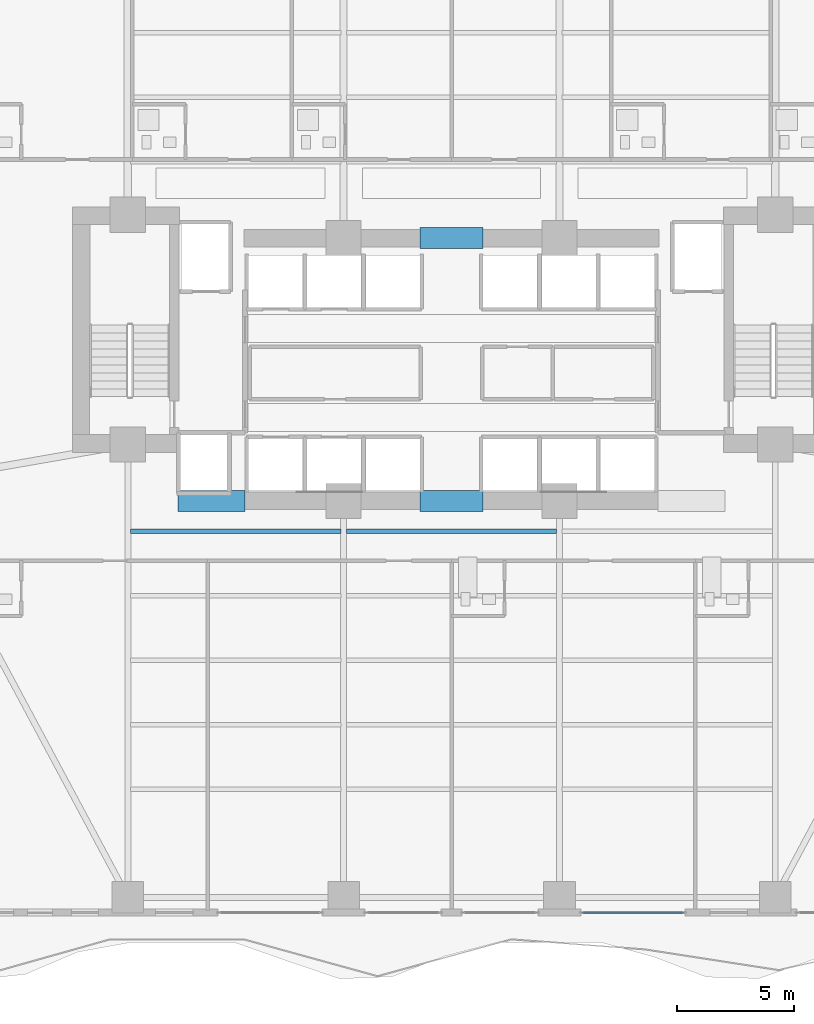
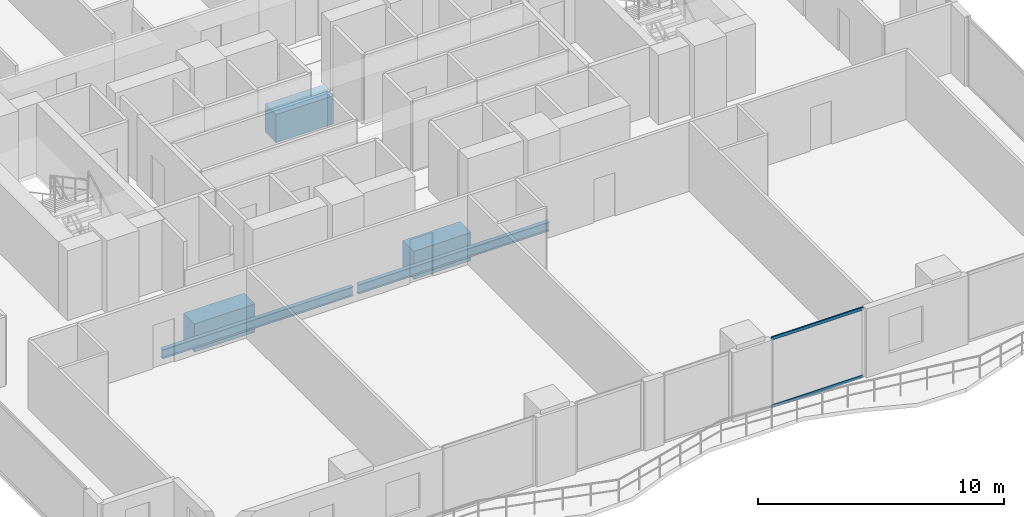
# One storey, part 8 of 30: 5 beams, 2 members, 1 element without a shape of its own.
"""IFC4 building model written with IfcOpenShell, lengths in metres."""

from ifc_helpers import new_model, si_unit, direction, frame, origin, origin_2d, place, context, subcontext, project, spatial, rectangle, hollow_rectangle, i_section, extrude, material, layer, layer_set, material_profile, profile_set, type_object, element, aggregate, save


model = new_model("IFC4")

# Units and contexts
model_context = context("Model", 3, precision=1e-05, world=origin(), true_north=direction((0.0, 1.0)))
body_context = subcontext(model_context, "Body", "Model", "MODEL_VIEW")
ifc_project = project(units=[si_unit("LENGTHUNIT", "METRE"), si_unit("AREAUNIT", "SQUARE_METRE"), si_unit("VOLUMEUNIT", "CUBIC_METRE"), si_unit("PLANEANGLEUNIT", "RADIAN"), si_unit("MASSUNIT", "GRAM", prefix="KILO")], contexts=[model_context])

# Site, building, storey
site_placement = place(None, origin())
site = spatial("IfcSite", under=ifc_project, at=site_placement, CompositionType="ELEMENT")
building_placement = place(site_placement, origin())
building = spatial("IfcBuilding", under=site, at=building_placement, Name="Zuhayl Quay Hotel", CompositionType="ELEMENT")
storey_placement = place(building_placement, frame((0.0, 0.0, 135.800048828125)))
storey = spatial("IfcBuildingStorey", under=building, at=storey_placement, Name="L34", CompositionType="ELEMENT", Elevation=135.800048828125)

# Beams
ifc_material_1 = material(Name="Concrete C60/75", Category="concrete")
ifc_material_profile_1 = material_profile(ifc_material_1, rectangle(XDim=0.89990234375, YDim=1.39990234375, at=origin_2d()), Name="RC900X1400")
ifc_profile_set_1 = profile_set([ifc_material_profile_1], Name="Concrete C60/75")
beam_type_1 = type_object("IfcBeamType", Name="BM_CB1_RC900", PredefinedType="T_BEAM", material=ifc_profile_set_1)
beam_placement = place(storey_placement, frame((-11.64990234375, 2.14990234375, -0.920166015625), z_axis=(1.0, 0.0, 0.0), x_axis=(0.0, 1.0, 0.0)))
element("IfcBeam", 1, at=beam_placement, inside=storey, type_object=beam_type_1, Name="L34 Core Coupling Beam SW", PredefinedType="T_BEAM", context=body_context, shape_type="SweptSolid", body=[
    extrude(rectangle(XDim=0.89990234375, YDim=1.39990234375, at=origin_2d()), origin(), (0.0, 0.0, 1.0), 2.849853515625),
])
for number, where, z_axis, x_axis, name in (
    (2, (-1.35009765625, 13.35009765625, -0.920166015625), (1.0, 0.0, 0.0), (0.0, 1.0, 0.0), "L34 Core Coupling Beam North"),
    (3, (-1.35009765625, 2.14990234375, -0.920166015625), (1.0, 0.0, 0.0), (0.0, 1.0, 0.0), "L34 Core Coupling Beam South"),
):
    element("IfcBeam", number, at=place(storey_placement, frame(where, z_axis=z_axis, x_axis=x_axis)), inside=storey, type_object=beam_type_1, Name=name, PredefinedType="T_BEAM", context=body_context, shape_type="SweptSolid", body=[
        extrude(rectangle(XDim=0.89990234375, YDim=1.39990234375, at=origin_2d()), origin(), (0.0, 0.0, 1.0), 2.7001953125),
    ])
ifc_material_2 = material(Name="Steel ASTM A992 Grade 50", Category="steel")
ifc_material_profile_2 = material_profile(ifc_material_2, i_section(OverallWidth=0.18994140625, OverallDepth=0.45703125, WebThickness=0.009033203125, FlangeThickness=0.014404296875, at=origin_2d()), Name="W18X50")
ifc_profile_set_2 = profile_set([ifc_material_profile_2], Name="Steel ASTM A992 Grade 50")
beam_type_2 = type_object("IfcBeamType", Name="BM_J2_W18X50", PredefinedType="JOIST", material=ifc_profile_set_2)
for number, where, z_axis, x_axis, name in (
    (4, (-13.680908203125, 0.85009765625, -0.448486328125), (1.0, 0.0, 0.0), (0.0, 1.0, 0.0), "L34 Floor Beam FJ_L34_9_1"),
    (5, (-4.48095703125, 0.85009765625, -0.448486328125), (1.0, 0.0, 0.0), (0.0, 1.0, 0.0), "L34 Floor Beam FJ_L34_9_2"),
):
    element("IfcBeam", number, at=place(storey_placement, frame(where, z_axis=z_axis, x_axis=x_axis)), inside=storey, type_object=beam_type_2, Name=name, PredefinedType="JOIST", context=body_context, shape_type="SweptSolid", body=[
        extrude(i_section(OverallWidth=0.18994140625, OverallDepth=0.45703125, WebThickness=0.009033203125, FlangeThickness=0.014404296875, at=origin_2d()), origin(), (0.0, 0.0, 1.0), 8.9619140625),
    ])

# Curtain wall, members
ifc_material_3 = material(Name="Anodised Aluminium 6063-T6", Category="aluminium")
ifc_layer = layer(ifc_material_3, 0.179931640625, Name="Anodised Aluminium 6063-T6", Category="aluminium")
ifc_layer_set = layer_set([ifc_layer], Name="Anodised Aluminium 6063-T6")
curtain_wall_type = type_object("IfcCurtainWallType", Name="CW_SYS_Z2", PredefinedType="USERDEFINED", material=ifc_layer_set)
curtain_wall_placement = place(storey_placement, origin())
curtain_wall = element("IfcCurtainWall", 6, at=curtain_wall_placement, inside=storey, type_object=curtain_wall_type, Name="L34 Curtain Wall ENV_L34_S_CW2", ObjectType="UNITISED CURTAIN WALL", PredefinedType="USERDEFINED")
ifc_material_4 = material(Name="Black-anodised aluminium 6063-T6", Category="aluminium")
ifc_material_profile_3 = material_profile(ifc_material_4, hollow_rectangle(XDim=0.06005859375, YDim=0.14990234375, WallThickness=0.00341796875, at=origin_2d()), Name="ALU150X60")
ifc_profile_set_3 = profile_set([ifc_material_profile_3], Name="Black-anodised aluminium 6063-T6")
member_type = type_object("IfcMemberType", Name="MB_CW_TRN_150", PredefinedType="USERDEFINED", material=ifc_profile_set_3)
member_1_placement = place(storey_placement, frame((9.885009765625, -15.39990234375, 0.030029296875), z_axis=(-1.0, 0.0, 0.0), x_axis=(0.0, -1.0, 0.0)))
member_1 = element("IfcMember", 7, at=member_1_placement, type_object=member_type, Name="CW-Z2 transom 1.1", ObjectType="TRANSOM", PredefinedType="USERDEFINED", context=body_context, shape_type="SweptSolid", body=[
    extrude(hollow_rectangle(XDim=0.06005859375, YDim=0.14990234375, WallThickness=0.00341796875, at=origin_2d()), origin(), (0.0, 0.0, 1.0), 4.300048828125),
])
member_2_placement = place(storey_placement, frame((9.885009765625, -15.39990234375, 3.39990234375), z_axis=(-1.0, 0.0, 0.0), x_axis=(0.0, -1.0, 0.0)))
member_2 = element("IfcMember", 8, at=member_2_placement, type_object=member_type, Name="CW-Z2 transom 1.2", ObjectType="TRANSOM", PredefinedType="USERDEFINED", context=body_context, shape_type="SweptSolid", body=[
    extrude(hollow_rectangle(XDim=0.06005859375, YDim=0.14990234375, WallThickness=0.00341796875, at=origin_2d()), origin(), (0.0, 0.0, 1.0), 4.300048828125),
])
aggregate(curtain_wall, [member_1, member_2])

save(model, "model.ifc")
